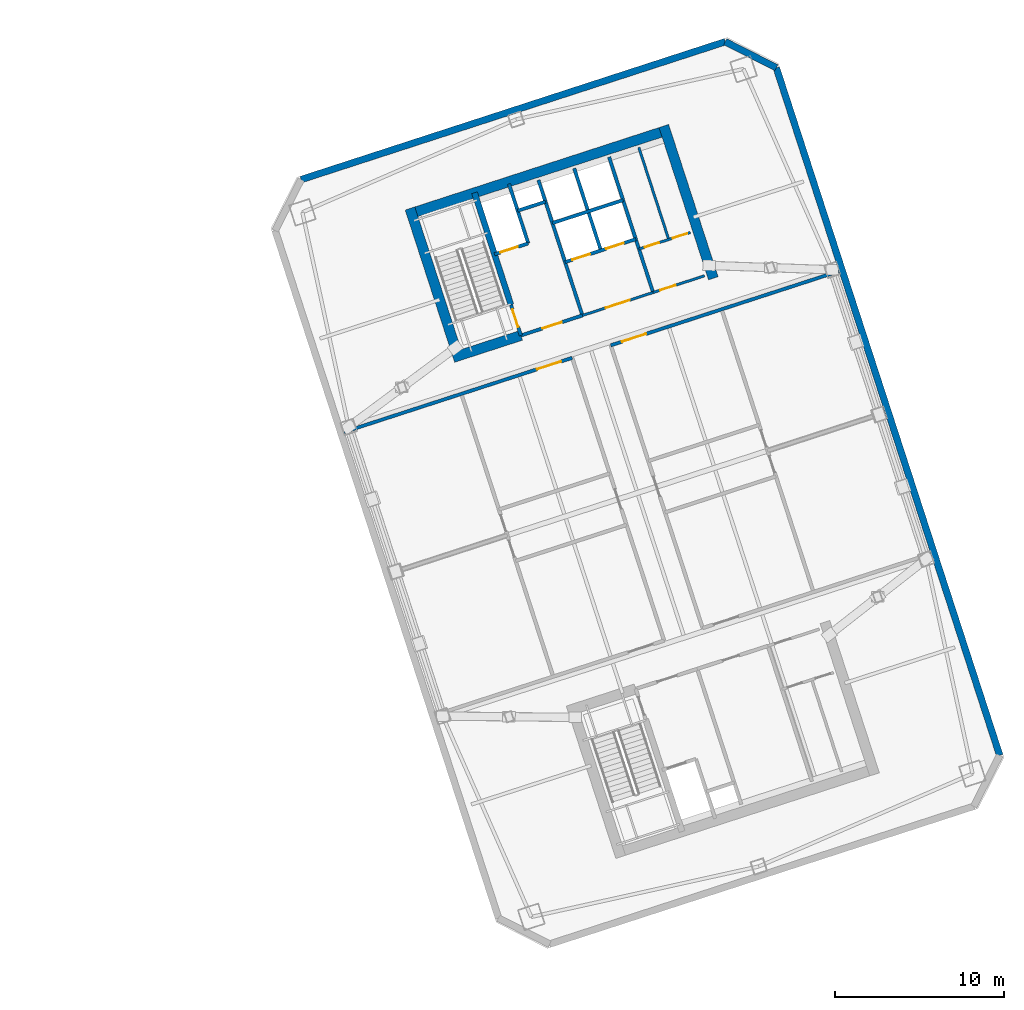
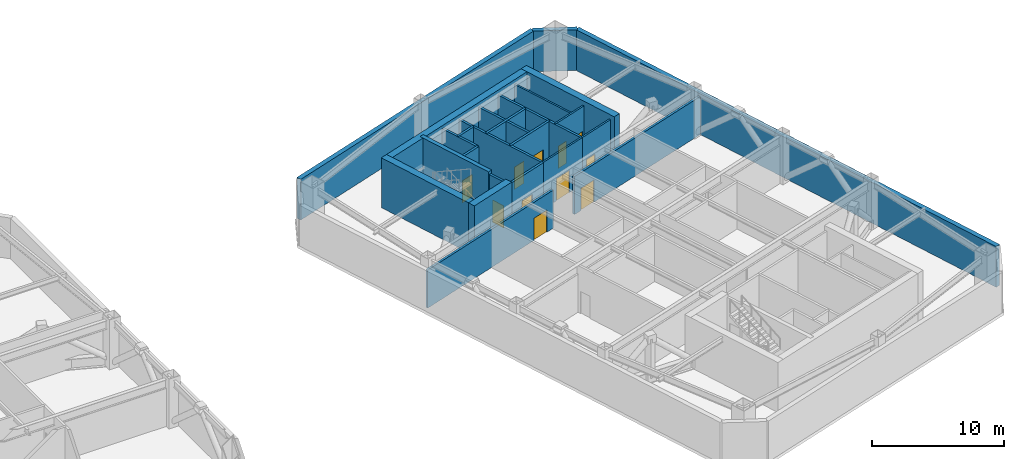
# One storey, part 11 of 14: 24 walls, 11 doors, 11 openings.
"""IFC4 building model written with IfcOpenShell, lengths in metres."""

import ifcopenshell
import ifcopenshell.guid

model = None  # the IFC model being written
_history = None  # IfcOwnerHistory: only IFC2X3 demands one
_inside = {}  # id of a spatial element -> (the spatial element, [elements in it])
_under = {}  # id of a project, library or spatial element -> (it, [spatial elements below it])
_declared = {}  # id of a project -> (the project, [libraries it declares])
_typed = {}  # id of a type object -> (the type object, [elements of that type])
_made_of = {}  # id of a material, layer set ... -> (it, [elements and type objects made of it])


def new_model(schema):
    """Start an empty IFC model of exactly this schema.

    Asked for "IFC4X3", IfcOpenShell would pick the latest addendum, in which some entities
    have other attributes; the version numbers below select the first issue.
    IFC2X3 requires an IfcOwnerHistory on every rooted entity: one is made here for all.
    """
    global model, _history
    if schema == "IFC4X3":
        model = ifcopenshell.file(schema_version=(4, 3, 0, 0))
    else:
        model = ifcopenshell.file(schema=schema)
    _inside.clear()
    _under.clear()
    _declared.clear()
    _typed.clear()
    _made_of.clear()
    _history = None
    if model.schema == "IFC2X3":
        org = make("IfcOrganization", Name="unknown")
        user = make(
            "IfcPersonAndOrganization",
            ThePerson=make("IfcPerson", FamilyName="unknown"),
            TheOrganization=org,
        )
        app = make(
            "IfcApplication",
            ApplicationDeveloper=org,
            Version="unknown",
            ApplicationFullName="unknown",
            ApplicationIdentifier="unknown",
        )
        _history = make(
            "IfcOwnerHistory",
            OwningUser=user,
            OwningApplication=app,
            ChangeAction="ADDED",
            CreationDate=0,
        )
    return model


def make(cls, **values):
    """One entity of the class cls with the attributes given. An attribute that is None is left unset."""
    return model.create_entity(
        cls, **{name: value for name, value in values.items() if value is not None}
    )


def rooted(cls, **values):
    """An entity with a GlobalId (a new one), such as an element, a storey or a relation."""
    return make(cls, GlobalId=ifcopenshell.guid.new(), OwnerHistory=_history, **values)


def si_unit(unit_type, name, prefix=None):
    """IfcSIUnit, for example si_unit("LENGTHUNIT", "METRE", prefix="MILLI")."""
    return make("IfcSIUnit", UnitType=unit_type, Prefix=prefix, Name=name)


def assignment(units):
    """IfcUnitAssignment: the units of a project."""
    return None if units is None else make("IfcUnitAssignment", Units=units)


def point(xyz):
    """IfcCartesianPoint."""
    return None if xyz is None else make("IfcCartesianPoint", Coordinates=xyz)


def direction(xyz):
    """IfcDirection."""
    return None if xyz is None else make("IfcDirection", DirectionRatios=xyz)


def frame(location, z_axis=None, x_axis=None):
    """IfcAxis2Placement3D, a coordinate frame: its origin and axes. An axis left out is left unset."""
    return make(
        "IfcAxis2Placement3D",
        Location=point(location),
        Axis=direction(z_axis),
        RefDirection=direction(x_axis),
    )


def frame_2d(location, x_axis=None):
    """IfcAxis2Placement2D, a coordinate frame in the plane: its origin and x axis."""
    return make(
        "IfcAxis2Placement2D", Location=point(location), RefDirection=direction(x_axis)
    )


def origin():
    """The frame at (0, 0, 0) with its axes left unset."""
    return frame((0.0, 0.0, 0.0))


def place(relative_to, where):
    """IfcLocalPlacement: puts the frame where relative to a parent placement (None: the world)."""
    return make(
        "IfcLocalPlacement", PlacementRelTo=relative_to, RelativePlacement=where
    )


def context(
    kind, dimensions, precision=None, world=None, true_north=None, identifier=None
):
    """IfcGeometricRepresentationContext, for example the 3D "Model" context."""
    return make(
        "IfcGeometricRepresentationContext",
        ContextIdentifier=identifier,
        ContextType=kind,
        CoordinateSpaceDimension=dimensions,
        Precision=precision,
        WorldCoordinateSystem=world,
        TrueNorth=true_north,
    )


def subcontext(parent, identifier, kind, view, scale=None):
    """IfcGeometricRepresentationSubContext, for example "Body" below "Model"."""
    return make(
        "IfcGeometricRepresentationSubContext",
        ContextIdentifier=identifier,
        ContextType=kind,
        ParentContext=parent,
        TargetScale=scale,
        TargetView=view,
    )


def project(units=None, contexts=None):
    """IfcProject with its units and contexts."""
    return rooted(
        "IfcProject",
        Name="project",
        RepresentationContexts=contexts,
        UnitsInContext=assignment(units),
    )


def spatial(cls, under=None, at=None, **own):
    """A site, building, storey or space (cls), placed at a placement, below another one or the project."""
    s = rooted(cls, ObjectPlacement=at, **own)
    if under is not None:
        _under.setdefault(under.id(), (under, []))[1].append(s)
    return s


def profile(cls, at=None, kind="AREA", **sizes):
    """A parametric profile (cls). Its sizes go by their IFC names, for example OverallWidth=200.0."""
    return make(cls, ProfileType=kind, Position=at, **sizes)


def rectangle(**sizes):
    """IfcRectangleProfileDef."""
    return profile("IfcRectangleProfileDef", **sizes)


def extrude(swept, where, along, depth):
    """IfcExtrudedAreaSolid: the profile swept, set in the frame where, extruded along a direction by depth."""
    return make(
        "IfcExtrudedAreaSolid",
        SweptArea=swept,
        Position=where,
        ExtrudedDirection=direction(along),
        Depth=depth,
    )


def shape(context_of_items, identifier, shape_type, items):
    """IfcShapeRepresentation: the items that make up one representation, for example the "Body"."""
    return make(
        "IfcShapeRepresentation",
        ContextOfItems=context_of_items,
        RepresentationIdentifier=identifier,
        RepresentationType=shape_type,
        Items=items,
    )


def material(Name=None, Category=None):
    """IfcMaterial."""
    return make("IfcMaterial", Name=Name, Category=Category)


def layer(
    of_material, thickness, ventilated=None, Name=None, Category=None, Priority=None
):
    """IfcMaterialLayer: one layer of a wall or slab, of a material (None: an air gap)."""
    return make(
        "IfcMaterialLayer",
        Material=of_material,
        LayerThickness=thickness,
        IsVentilated=ventilated,
        Name=Name,
        Category=Category,
        Priority=Priority,
    )


def layer_set(layers, Name=None):
    """IfcMaterialLayerSet."""
    return make("IfcMaterialLayerSet", MaterialLayers=layers, LayerSetName=Name)


def made_of(thing, what):
    """Note that an element or type object is made of a material, layer set ...; save() writes the relation."""
    if what is not None:
        _made_of.setdefault(what.id(), (what, []))[1].append(thing)
    return thing


def type_object(cls, material=None, **own):
    """A type object (cls), such as IfcWallType, which elements share."""
    return made_of(rooted(cls, **own), material)


def element(
    cls,
    number,
    at=None,
    inside=None,
    cuts=None,
    type_object=None,
    material=None,
    context=None,
    identifier="Body",
    shape_type=None,
    held_by="IfcProductDefinitionShape",
    body=None,
    shapes=None,
    **own,
):
    """One element of the class cls, such as IfcWall. Its Tag is "e" and its number.

    at: its placement. inside: the storey or other place that contains it. cuts: it is an
    opening in that element (IfcRelVoidsElement). A single representation is given by context,
    identifier, shape_type and body (its items); several are given by shapes. held_by: the class
    of the entity that holds the representations. save() writes the other relations.
    """
    e = rooted(cls, Tag="e%d" % number, ObjectPlacement=at, **own)
    if body is not None:
        shapes = [shape(context, identifier, shape_type, body)]
    if shapes is not None:
        e.Representation = make(held_by, Representations=shapes)
    if inside is not None:
        _inside.setdefault(inside.id(), (inside, []))[1].append(e)
    if cuts is not None:
        rooted(
            "IfcRelVoidsElement", RelatingBuildingElement=cuts, RelatedOpeningElement=e
        )
    if type_object is not None:
        _typed.setdefault(type_object.id(), (type_object, []))[1].append(e)
    return made_of(e, material)


def fill(opening, filler):
    """IfcRelFillsElement: the door or window that sits in an opening."""
    return rooted(
        "IfcRelFillsElement",
        RelatingOpeningElement=opening,
        RelatedBuildingElement=filler,
    )


def aggregate(whole, parts):
    """IfcRelAggregates: a whole, such as a stair, and the parts it consists of."""
    return rooted("IfcRelAggregates", RelatingObject=whole, RelatedObjects=parts)


def save(model, path):
    """Write the relations noted so far, then the file.

    IfcRelAggregates (storeys below a building ...), IfcRelContainedInSpatialStructure (elements
    in a storey), IfcRelDefinesByType, IfcRelAssociatesMaterial and IfcRelDeclares: one each for
    every whole, place, type object, material and project.
    """
    for whole, parts in _under.values():
        aggregate(whole, parts)
    for where, things in _inside.values():
        rooted(
            "IfcRelContainedInSpatialStructure",
            RelatedElements=things,
            RelatingStructure=where,
        )
    for kind, things in _typed.values():
        rooted("IfcRelDefinesByType", RelatedObjects=things, RelatingType=kind)
    for what, things in _made_of.values():
        rooted("IfcRelAssociatesMaterial", RelatedObjects=things, RelatingMaterial=what)
    for by, libraries in _declared.values():
        rooted("IfcRelDeclares", RelatingContext=by, RelatedDefinitions=libraries)
    model.write(path)


model = new_model("IFC4")

# Units and contexts
model_context = context("Model", 3, precision=1e-05, world=origin(), true_north=direction((0.0, 1.0)))
body_context = subcontext(model_context, "Body", "Model", "MODEL_VIEW")
ifc_project = project(units=[si_unit("LENGTHUNIT", "METRE"), si_unit("AREAUNIT", "SQUARE_METRE"), si_unit("VOLUMEUNIT", "CUBIC_METRE"), si_unit("PLANEANGLEUNIT", "RADIAN"), si_unit("MASSUNIT", "GRAM", prefix="KILO")], contexts=[model_context])

# Site, building, storey
site_placement = place(None, origin())
site = spatial("IfcSite", under=ifc_project, at=site_placement, CompositionType="ELEMENT")
building_placement = place(site_placement, origin())
building = spatial("IfcBuilding", under=site, at=building_placement, Name="Qiaolan Cultural Towers", CompositionType="ELEMENT")
storey_placement = place(building_placement, frame((0.0, 0.0, 138.0)))
storey = spatial("IfcBuildingStorey", under=building, at=storey_placement, Name="L36", CompositionType="ELEMENT", Elevation=138.0)

# Walls
ifc_material_1 = material(Name="Concrete C50", Category="concrete")
ifc_layer_1 = layer(ifc_material_1, 0.35009765625)
ifc_layer_set_1 = layer_set([ifc_layer_1], Name="Concrete C50")
wall_type_1 = type_object("IfcWallType", Name="WL-CORE-350", PredefinedType="SHEAR", material=ifc_layer_set_1)
wall_1_placement = place(storey_placement, frame((82.513671875, 45.13134765625, 0.0), z_axis=(0.0, 0.0, 1.0), x_axis=(-0.308988790936, 0.951065679686, 0.0)))
element("IfcWall", 1, at=wall_1_placement, inside=storey, type_object=wall_type_1, Name="L36 T2-CN Stair Core Dividing Web", PredefinedType="SHEAR", context=body_context, shape_type="SweptSolid", body=[
    extrude(rectangle(XDim=6.97998046875, YDim=0.35009765625, at=frame_2d((3.489990234375, 0.0))), origin(), (0.0, 0.0, 1.0), 4.60009765625),
])
ifc_material_2 = material(Name="Concrete C55", Category="concrete")
ifc_layer_2 = layer(ifc_material_2, 0.60009765625)
ifc_layer_set_2 = layer_set([ifc_layer_2], Name="Concrete C55")
wall_type_2 = type_object("IfcWallType", Name="WL-CORE-600", PredefinedType="SHEAR", material=ifc_layer_set_2)
wall_2_placement = place(storey_placement, frame((76.343505859375, 50.4658203125, 0.0), z_axis=(0.0, 0.0, 1.0), x_axis=(0.951055727519, 0.309019421968, 0.0)))
element("IfcWall", 2, at=wall_2_placement, inside=storey, type_object=wall_type_2, Name="L36 T2-CN Outer Core Shear Wall", PredefinedType="SHEAR", context=body_context, shape_type="SweptSolid", body=[
    extrude(rectangle(XDim=16.39990234375, YDim=0.60009765625, at=frame_2d((8.199951171875, 0.0))), origin(), (0.0, 0.0, 1.0), 4.60009765625),
])
for number, where, z_axis, x_axis, name in (
    (3, (79.465576171875, 41.827880859375, 0.0), (0.0, 0.0, 1.0), (-0.309041232772, 0.951048640421, 0.0), "L36 T2-CN West Core Shear Wall"),
    (4, (94.4921875, 46.710205078125, 0.0), (0.0, 0.0, 1.0), (-0.309010370028, 0.95105866865, 0.0), "L36 T2-CN East Core Shear Wall"),
):
    element("IfcWall", number, at=place(storey_placement, frame(where, z_axis=z_axis, x_axis=x_axis)), inside=storey, type_object=wall_type_2, Name=name, PredefinedType="SHEAR", context=body_context, shape_type="SweptSolid", body=[
        extrude(rectangle(XDim=9.47998046875, YDim=0.60009765625, at=frame_2d((4.739990234375, 0.0))), origin(), (0.0, 0.0, 1.0), 4.60009765625),
    ])
wall_3_placement = place(storey_placement, frame((79.08740234375, 42.0205078125, 0.0), z_axis=(0.0, 0.0, 1.0), x_axis=(0.951062550203, 0.3089984233, 0.0)))
element("IfcWall", 5, at=wall_3_placement, inside=storey, type_object=wall_type_2, Name="L36 T2-CN Stair Front Shear Wall", PredefinedType="SHEAR", context=body_context, shape_type="SweptSolid", body=[
    extrude(rectangle(XDim=4.219970703125, YDim=0.60009765625, at=frame_2d((2.10986328125, 0.0))), origin(), (0.0, 0.0, 1.0), 4.60009765625),
])
ifc_material_3 = material(Name="Precast Concrete C50 Honed Stone Pier", Category="masonry")
ifc_layer_3 = layer(ifc_material_3, 0.39990234375)
ifc_layer_set_3 = layer_set([ifc_layer_3], Name="Precast Concrete C50 Honed Stone Pier")
wall_type_3 = type_object("IfcWallType", Name="WL-EXT-PIER-400", PredefinedType="SOLIDWALL", material=ifc_layer_set_3)
wall_4_placement = place(storey_placement, frame((70.091552734375, 52.55615234375, 0.0), z_axis=(0.0, 0.0, 1.0), x_axis=(0.951057580055, 0.30901372044, 0.0)))
element("IfcWall", 6, at=wall_4_placement, inside=storey, type_object=wall_type_3, Name="L36 East Tower Precast Pier Facade Wall F3", PredefinedType="SOLIDWALL", context=body_context, shape_type="SweptSolid", body=[
    extrude(rectangle(XDim=26.39990234375, YDim=0.39990234375, at=frame_2d((13.199951171875, 0.0))), origin(), (0.0, 0.0, 1.0), 3.760009765625),
])
wall_5_placement = place(storey_placement, frame((95.199462890625, 60.714111328125, 0.0), z_axis=(0.0, 0.0, 1.0), x_axis=(0.891020832027, -0.453962417932, 0.0)))
element("IfcWall", 7, at=wall_5_placement, inside=storey, type_object=wall_type_3, Name="L36 East Tower Precast Pier Facade Wall F4", PredefinedType="SOLIDWALL", context=body_context, shape_type="SweptSolid", body=[
    extrude(rectangle(XDim=3.39404296875, YDim=0.39990234375, at=frame_2d((1.697021484375, 0.0))), origin(), (0.0, 0.0, 1.0), 3.760009765625),
])
wall_6_placement = place(storey_placement, frame((98.2236328125, 59.17333984375, 0.0), z_axis=(0.0, 0.0, 1.0), x_axis=(0.309014228706, -0.951057414911, 0.0)))
element("IfcWall", 8, at=wall_6_placement, inside=storey, type_object=wall_type_3, Name="L36 East Tower Precast Pier Facade Wall F5", PredefinedType="SOLIDWALL", context=body_context, shape_type="SweptSolid", body=[
    extrude(rectangle(XDim=42.800048828125, YDim=0.39990234375, at=frame_2d((21.39990234375, 0.0))), origin(), (0.0, 0.0, 1.0), 3.760009765625),
])

# Wall, opening, door
ifc_material_4 = material(Name="Concrete C35 Fire Wall", Category="concrete")
ifc_layer_4 = layer(ifc_material_4, 0.199951171875)
ifc_layer_set_4 = layer_set([ifc_layer_4], Name="Concrete C35 Fire Wall")
wall_type_4 = type_object("IfcWallType", Name="WL-FIRE-200", PredefinedType="PARTITIONING", material=ifc_layer_set_4)
wall_7_placement = place(storey_placement, frame((83.100830078125, 43.324462890625, 0.0), z_axis=(0.0, 0.0, 1.0), x_axis=(-0.309048298632, 0.951046344356, 0.0)))
wall_7 = element("IfcWall", 9, at=wall_7_placement, inside=storey, type_object=wall_type_4, Name="L36 T2-CN Smokeproof Stair Entry Wall", PredefinedType="PARTITIONING", context=body_context, shape_type="SweptSolid", body=[
    extrude(rectangle(XDim=1.89990234375, YDim=0.199951171875, at=frame_2d((0.949951171875, 0.0))), origin(), (0.0, 0.0, 1.0), 4.324951171875),
])
opening_1_placement = place(wall_7_placement, frame((0.52001953125, 0.0, 0.0)))
opening_1 = element("IfcOpeningElement", 10, at=opening_1_placement, cuts=wall_7, Name="Opening FD-04", PredefinedType="OPENING", context=body_context, shape_type="SweptSolid", body=[
    extrude(rectangle(XDim=1.10009765625, YDim=2.050048828125, at=frame_2d((0.550048828125, 1.02490234375))), frame((0.0, 0.10986328125, 0.0), z_axis=(0.0, -1.0, 0.0), x_axis=(1.0, 0.0, 0.0)), (0.0, 0.0, 1.0), 0.219970703125),
])
ifc_material_5 = material(Name="Galvanized Steel Command Fire Door", Category="steel")
door_type_1 = type_object("IfcDoorType", Name="DR-FD90-1100", OperationType="NOTDEFINED", PredefinedType="DOOR", material=ifc_material_5)
door_1_placement = place(opening_1_placement, origin())
door_1 = element("IfcDoor", 11, at=door_1_placement, inside=storey, type_object=door_type_1, Name="L36 ST-E2 Smokeproof Stair Fire Door", OperationType="SINGLE_SWING_LEFT", OverallHeight=2.050048828125, OverallWidth=1.10009765625, PredefinedType="DOOR", context=body_context, shape_type="SweptSolid", body=[
    extrude(rectangle(XDim=1.10009765625, YDim=2.050048828125, at=frame_2d((0.550048828125, 1.02490234375))), frame((0.0, 0.02490234375, 0.0), z_axis=(0.0, -1.0, 0.0), x_axis=(1.0, 0.0, 0.0)), (0.0, 0.0, 1.0), 0.050048828125),
])
fill(opening_1, door_1)

# Wall
wall_8_placement = place(storey_placement, frame((86.743408203125, 44.508056640625, 0.0), z_axis=(0.0, 0.0, 1.0), x_axis=(-0.309016001439, 0.951056838919, 0.0)))
element("IfcWall", 12, at=wall_8_placement, inside=storey, type_object=wall_type_4, Name="L36 T2-CN Firefighting Zone Wall", PredefinedType="PARTITIONING", context=body_context, shape_type="SweptSolid", body=[
    extrude(rectangle(XDim=8.429931640625, YDim=0.199951171875, at=frame_2d((4.21484375, 0.0))), origin(), (0.0, 0.0, 1.0), 4.324951171875),
])

# Wall, opening, door
wall_9_placement = place(storey_placement, frame((83.100830078125, 43.324462890625, 0.0), z_axis=(0.0, 0.0, 1.0), x_axis=(0.951052804469, 0.309028417967, 0.0)))
wall_9 = element("IfcWall", 13, at=wall_9_placement, inside=storey, type_object=wall_type_4, Name="L36 T2-CN Firefighting Lobby Front Wall", PredefinedType="PARTITIONING", context=body_context, shape_type="SweptSolid", body=[
    extrude(rectangle(XDim=3.830078125, YDim=0.199951171875, at=frame_2d((1.9150390625, 0.0))), origin(), (0.0, 0.0, 1.0), 4.324951171875),
])
opening_2_placement = place(wall_9_placement, frame((1.35009765625, 0.0, 0.0)))
opening_2 = element("IfcOpeningElement", 14, at=opening_2_placement, cuts=wall_9, Name="Opening FD-03", PredefinedType="OPENING", context=body_context, shape_type="SweptSolid", body=[
    extrude(rectangle(XDim=1.199951171875, YDim=2.050048828125, at=frame_2d((0.60009765625, 1.02490234375))), frame((0.0, 0.10986328125, 0.0), z_axis=(0.0, -1.0, 0.0), x_axis=(1.0, 0.0, 0.0)), (0.0, 0.0, 1.0), 0.219970703125),
])
ifc_material_6 = material(Name="Galvanized Steel Smokeproof Lobby Fire Door", Category="steel")
door_type_2 = type_object("IfcDoorType", Name="DR-FD90-1200", OperationType="NOTDEFINED", PredefinedType="DOOR", material=ifc_material_6)
door_2_placement = place(opening_2_placement, origin())
door_2 = element("IfcDoor", 15, at=door_2_placement, inside=storey, type_object=door_type_2, Name="L36 FFL-E2 Firefighting Lobby Fire Door", OperationType="SINGLE_SWING_LEFT", OverallHeight=2.050048828125, OverallWidth=1.199951171875, PredefinedType="DOOR", context=body_context, shape_type="SweptSolid", body=[
    extrude(rectangle(XDim=1.199951171875, YDim=2.050048828125, at=frame_2d((0.60009765625, 1.02490234375))), frame((0.0, 0.02490234375, 0.0), z_axis=(0.0, -1.0, 0.0), x_axis=(1.0, 0.0, 0.0)), (0.0, 0.0, 1.0), 0.050048828125),
])
fill(opening_2, door_2)

wall_10_placement = place(storey_placement, frame((81.540283203125, 48.127197265625, 0.0), z_axis=(0.0, 0.0, 1.0), x_axis=(0.951062257173, 0.308999325213, 0.0)))
wall_10 = element("IfcWall", 16, at=wall_10_placement, inside=storey, type_object=wall_type_4, Name="L36 T2-CN Firefighting Shaft Front Wall", PredefinedType="PARTITIONING", context=body_context, shape_type="SweptSolid", body=[
    extrude(rectangle(XDim=2.10009765625, YDim=0.199951171875, at=frame_2d((1.050048828125, 0.0))), origin(), (0.0, 0.0, 1.0), 4.324951171875),
])
opening_3_placement = place(wall_10_placement, frame((0.35009765625, 0.0, 0.0)))
opening_3 = element("IfcOpeningElement", 17, at=opening_3_placement, cuts=wall_10, Name="Opening LD-01", PredefinedType="OPENING", context=body_context, shape_type="SweptSolid", body=[
    extrude(rectangle(XDim=1.10009765625, YDim=2.050048828125, at=frame_2d((0.550048828125, 1.02490234375))), frame((0.0, 0.10986328125, 0.0), z_axis=(0.0, -1.0, 0.0), x_axis=(1.0, 0.0, 0.0)), (0.0, 0.0, 1.0), 0.219970703125),
])
ifc_material_7 = material(Name="Brushed Stainless Steel S30408 Centre-Parting Lift Landing Door", Category="steel")
door_type_3 = type_object("IfcDoorType", Name="DR-LIFT-1100", OperationType="NOTDEFINED", PredefinedType="DOOR", material=ifc_material_7)
door_3_placement = place(opening_3_placement, origin())
door_3 = element("IfcDoor", 18, at=door_3_placement, inside=storey, type_object=door_type_3, Name="L36 FFL-E2 Firefighting Lift Landing Door", OperationType="DOUBLE_DOOR_SLIDING", OverallHeight=2.050048828125, OverallWidth=1.10009765625, PredefinedType="DOOR", context=body_context, shape_type="SweptSolid", body=[
    extrude(rectangle(XDim=1.10009765625, YDim=2.050048828125, at=frame_2d((0.550048828125, 1.02490234375))), frame((0.0, 0.02490234375, 0.0), z_axis=(0.0, -1.0, 0.0), x_axis=(1.0, 0.0, 0.0)), (0.0, 0.0, 1.0), 0.050048828125),
])
fill(opening_3, door_3)

# Walls
wall_11_placement = place(storey_placement, frame((83.53759765625, 48.776123046875, 0.0), z_axis=(0.0, 0.0, 1.0), x_axis=(-0.3089935693, 0.951064127245, 0.0)))
element("IfcWall", 19, at=wall_11_placement, inside=storey, type_object=wall_type_4, Name="L36 T2-CN Firefighting Hoistway East Wall", PredefinedType="PARTITIONING", context=body_context, shape_type="SweptSolid", body=[
    extrude(rectangle(XDim=3.7001953125, YDim=0.199951171875, at=frame_2d((1.85009765625, 0.0))), origin(), (0.0, 0.0, 1.0), 4.324951171875),
])
wall_12_placement = place(storey_placement, frame((82.910400390625, 50.706787109375, 0.0), z_axis=(0.0, 0.0, 1.0), x_axis=(0.951041328149, 0.309063734775, 0.0)))
element("IfcWall", 20, at=wall_12_placement, inside=storey, type_object=wall_type_4, Name="L36 T2-CN Pressurization Shaft Front Wall", PredefinedType="PARTITIONING", context=body_context, shape_type="SweptSolid", body=[
    extrude(rectangle(XDim=1.72998046875, YDim=0.199951171875, at=frame_2d((0.864990234375, 0.0))), origin(), (0.0, 0.0, 1.0), 4.324951171875),
])
wall_13_placement = place(storey_placement, frame((90.92822265625, 45.86767578125, 0.0), z_axis=(0.0, 0.0, 1.0), x_axis=(-0.309042196757, 0.951048327176, 0.0)))
element("IfcWall", 21, at=wall_13_placement, inside=storey, type_object=wall_type_4, Name="L36 T2-CN Lift Core East Wall", PredefinedType="PARTITIONING", context=body_context, shape_type="SweptSolid", body=[
    extrude(rectangle(XDim=8.429931640625, YDim=0.199951171875, at=frame_2d((4.21484375, 0.0))), origin(), (0.0, 0.0, 1.0), 4.324951171875),
])

# Wall, openings, doors
wall_14_placement = place(storey_placement, frame((85.717529296875, 47.66552734375, 0.0), z_axis=(0.0, 0.0, 1.0), x_axis=(0.951058531764, 0.30901079133, 0.0)))
wall_14 = element("IfcWall", 22, at=wall_14_placement, inside=storey, type_object=wall_type_4, Name="L36 T2-CN Passenger Lift Shaft Front Wall", PredefinedType="PARTITIONING", context=body_context, shape_type="SweptSolid", body=[
    extrude(rectangle(XDim=4.39990234375, YDim=0.199951171875, at=frame_2d((2.199951171875, 0.0))), origin(), (0.0, 0.0, 1.0), 4.324951171875),
])
opening_4_placement = place(wall_14_placement, frame((0.449951171875, 0.0, 0.0)))
opening_4 = element("IfcOpeningElement", 23, at=opening_4_placement, cuts=wall_14, Name="Opening LD-01", PredefinedType="OPENING", context=body_context, shape_type="SweptSolid", body=[
    extrude(rectangle(XDim=1.10009765625, YDim=2.050048828125, at=frame_2d((0.550048828125, 1.02490234375))), frame((0.0, 0.10986328125, 0.0), z_axis=(0.0, -1.0, 0.0), x_axis=(1.0, 0.0, 0.0)), (0.0, 0.0, 1.0), 0.219970703125),
])
opening_5_placement = place(wall_14_placement, frame((2.550048828125, 0.0, 0.0)))
opening_5 = element("IfcOpeningElement", 24, at=opening_5_placement, cuts=wall_14, Name="Opening LD-01", PredefinedType="OPENING", context=body_context, shape_type="SweptSolid", body=[
    extrude(rectangle(XDim=1.10009765625, YDim=2.050048828125, at=frame_2d((0.550048828125, 1.02490234375))), frame((0.0, 0.10986328125, 0.0), z_axis=(0.0, -1.0, 0.0), x_axis=(1.0, 0.0, 0.0)), (0.0, 0.0, 1.0), 0.219970703125),
])
door_4_placement = place(opening_4_placement, origin())
door_4 = element("IfcDoor", 25, at=door_4_placement, inside=storey, type_object=door_type_3, Name="L36 Passenger Lift 1 Landing Door", OperationType="DOUBLE_DOOR_SLIDING", OverallHeight=2.050048828125, OverallWidth=1.10009765625, PredefinedType="DOOR", context=body_context, shape_type="SweptSolid", body=[
    extrude(rectangle(XDim=1.10009765625, YDim=2.050048828125, at=frame_2d((0.550048828125, 1.02490234375))), frame((0.0, 0.02490234375, 0.0), z_axis=(0.0, -1.0, 0.0), x_axis=(1.0, 0.0, 0.0)), (0.0, 0.0, 1.0), 0.050048828125),
])
fill(opening_4, door_4)
door_5_placement = place(opening_5_placement, origin())
door_5 = element("IfcDoor", 26, at=door_5_placement, inside=storey, type_object=door_type_3, Name="L36 Passenger Lift 2 Landing Door", OperationType="DOUBLE_DOOR_SLIDING", OverallHeight=2.050048828125, OverallWidth=1.10009765625, PredefinedType="DOOR", context=body_context, shape_type="SweptSolid", body=[
    extrude(rectangle(XDim=1.10009765625, YDim=2.050048828125, at=frame_2d((0.550048828125, 1.02490234375))), frame((0.0, 0.02490234375, 0.0), z_axis=(0.0, -1.0, 0.0), x_axis=(1.0, 0.0, 0.0)), (0.0, 0.0, 1.0), 0.050048828125),
])
fill(opening_5, door_5)

# Walls
wall_15_placement = place(storey_placement, frame((87.83837890625, 48.3544921875, 0.0), z_axis=(0.0, 0.0, 1.0), x_axis=(-0.3090093719, 0.951058992953, 0.0)))
element("IfcWall", 27, at=wall_15_placement, inside=storey, type_object=wall_type_4, Name="L36 T2-CN Lift Shaft Divider Wall", PredefinedType="PARTITIONING", context=body_context, shape_type="SweptSolid", body=[
    extrude(rectangle(XDim=5.110107421875, YDim=0.199951171875, at=frame_2d((2.55517578125, 0.0))), origin(), (0.0, 0.0, 1.0), 4.324951171875),
])
wall_16_placement = place(storey_placement, frame((84.966552734375, 49.9765625, 0.0), z_axis=(0.0, 0.0, 1.0), x_axis=(0.951063829732, 0.308994485023, 0.0)))
element("IfcWall", 28, at=wall_16_placement, inside=storey, type_object=wall_type_4, Name="L36 T2-CN Passenger Lift Shaft Back Wall", PredefinedType="PARTITIONING", context=body_context, shape_type="SweptSolid", body=[
    extrude(rectangle(XDim=4.400146484375, YDim=0.199951171875, at=frame_2d((2.2001953125, 0.0))), origin(), (0.0, 0.0, 1.0), 4.324951171875),
])

# Wall, opening, door
wall_17_placement = place(storey_placement, frame((72.63427734375, 37.6103515625, 0.0), z_axis=(0.0, 0.0, 1.0), x_axis=(0.951054408413, 0.309023481693, 0.0)))
wall_17 = element("IfcWall", 29, at=wall_17_placement, inside=storey, type_object=wall_type_4, Name="L36 T2 Fire Rated Plant/Refuge Wall NBW", PredefinedType="PARTITIONING", context=body_context, shape_type="SweptSolid", body=[
    extrude(rectangle(XDim=14.2001953125, YDim=0.199951171875, at=frame_2d((7.10009765625, 0.0))), origin(), (0.0, 0.0, 1.0), 3.514892578125),
])
opening_6_placement = place(wall_17_placement, frame((12.0, 0.0, 0.0)))
opening_6 = element("IfcOpeningElement", 30, at=opening_6_placement, cuts=wall_17, Name="Opening FD-02", PredefinedType="OPENING", context=body_context, shape_type="SweptSolid", body=[
    extrude(rectangle(XDim=1.5, YDim=2.050048828125, at=frame_2d((0.75, 1.02490234375))), frame((0.0, 0.10986328125, 0.0), z_axis=(0.0, -1.0, 0.0), x_axis=(1.0, 0.0, 0.0)), (0.0, 0.0, 1.0), 0.219970703125),
])
ifc_material_8 = material(Name="Galvanized Steel Double Fire Door", Category="steel")
door_type_4 = type_object("IfcDoorType", Name="DR-FD90-1500", OperationType="NOTDEFINED", PredefinedType="DOOR", material=ifc_material_8)
door_6_placement = place(opening_6_placement, origin())
door_6 = element("IfcDoor", 31, at=door_6_placement, inside=storey, type_object=door_type_4, Name="L36 T2 West North Refuge Fire Door", OperationType="SINGLE_SWING_LEFT", OverallHeight=2.050048828125, OverallWidth=1.5, PredefinedType="DOOR", context=body_context, shape_type="SweptSolid", body=[
    extrude(rectangle(XDim=1.5, YDim=2.050048828125, at=frame_2d((0.75, 1.02490234375))), frame((0.0, 0.02490234375, 0.0), z_axis=(0.0, -1.0, 0.0), x_axis=(1.0, 0.0, 0.0)), (0.0, 0.0, 1.0), 0.050048828125),
])
fill(opening_6, door_6)

wall_18_placement = place(storey_placement, frame((88.421875, 42.740234375, 0.0), z_axis=(0.0, 0.0, 1.0), x_axis=(0.951059461247, 0.3090079306, 0.0)))
wall_18 = element("IfcWall", 32, at=wall_18_placement, inside=storey, type_object=wall_type_4, Name="L36 T2 Fire Rated Plant/Refuge Wall NBE", PredefinedType="PARTITIONING", context=body_context, shape_type="SweptSolid", body=[
    extrude(rectangle(XDim=14.2001953125, YDim=0.199951171875, at=frame_2d((7.10009765625, 0.0))), origin(), (0.0, 0.0, 1.0), 3.514892578125),
])
opening_7_placement = place(wall_18_placement, frame((0.699951171875, 0.0, 0.0)))
opening_7 = element("IfcOpeningElement", 33, at=opening_7_placement, cuts=wall_18, Name="Opening FD-02", PredefinedType="OPENING", context=body_context, shape_type="SweptSolid", body=[
    extrude(rectangle(XDim=1.5, YDim=2.050048828125, at=frame_2d((0.75, 1.02490234375))), frame((0.0, 0.10986328125, 0.0), z_axis=(0.0, -1.0, 0.0), x_axis=(1.0, 0.0, 0.0)), (0.0, 0.0, 1.0), 0.219970703125),
])
door_7_placement = place(opening_7_placement, origin())
door_7 = element("IfcDoor", 34, at=door_7_placement, inside=storey, type_object=door_type_4, Name="L36 T2 East North Refuge Fire Door", OperationType="SINGLE_SWING_RIGHT", OverallHeight=2.050048828125, OverallWidth=1.5, PredefinedType="DOOR", context=body_context, shape_type="SweptSolid", body=[
    extrude(rectangle(XDim=1.5, YDim=2.050048828125, at=frame_2d((0.75, 1.02490234375))), frame((0.0, 0.02490234375, 0.0), z_axis=(0.0, -1.0, 0.0), x_axis=(1.0, 0.0, 0.0)), (0.0, 0.0, 1.0), 0.050048828125),
])
fill(opening_7, door_7)

ifc_material_9 = material(Name="Autoclaved Aerated Concrete Block B06", Category="concrete")
ifc_layer_5 = layer(ifc_material_9, 0.14990234375)
ifc_layer_set_5 = layer_set([ifc_layer_5], Name="Autoclaved Aerated Concrete Block B06")
wall_type_5 = type_object("IfcWallType", Name="WL-PART-150", PredefinedType="PARTITIONING", material=ifc_layer_set_5)
wall_19_placement = place(storey_placement, frame((86.743408203125, 44.508056640625, 0.0), z_axis=(0.0, 0.0, 1.0), x_axis=(0.951063829732, 0.308994485023, 0.0)))
wall_19 = element("IfcWall", 35, at=wall_19_placement, inside=storey, type_object=wall_type_5, Name="L36 T2-CN Passenger Lift Lobby Front Wall", PredefinedType="PARTITIONING", context=body_context, shape_type="SweptSolid", body=[
    extrude(rectangle(XDim=4.400146484375, YDim=0.14990234375, at=frame_2d((2.2001953125, 0.0))), origin(), (0.0, 0.0, 1.0), 4.324951171875),
])
opening_8_placement = place(wall_19_placement, frame((1.449951171875, 0.0, 0.0)))
opening_8 = element("IfcOpeningElement", 36, at=opening_8_placement, cuts=wall_19, Name="Opening FD-05", PredefinedType="OPENING", context=body_context, shape_type="SweptSolid", body=[
    extrude(rectangle(XDim=1.5, YDim=2.050048828125, at=frame_2d((0.75, 1.02490234375))), frame((0.0, 0.0849609375, 0.0), z_axis=(0.0, -1.0, 0.0), x_axis=(1.0, 0.0, 0.0)), (0.0, 0.0, 1.0), 0.169921875),
])
ifc_material_10 = material(Name="Painted Steel Lift Lobby Fire Door", Category="steel")
door_type_5 = type_object("IfcDoorType", Name="DR-FD60-1500", OperationType="NOTDEFINED", PredefinedType="DOOR", material=ifc_material_10)
door_8_placement = place(opening_8_placement, origin())
door_8 = element("IfcDoor", 37, at=door_8_placement, inside=storey, type_object=door_type_5, Name="L36 Passenger Lift Lobby Entrance", OperationType="SINGLE_SWING_LEFT", OverallHeight=2.050048828125, OverallWidth=1.5, PredefinedType="DOOR", context=body_context, shape_type="SweptSolid", body=[
    extrude(rectangle(XDim=1.5, YDim=2.050048828125, at=frame_2d((0.75, 1.02490234375))), frame((0.0, 0.02490234375, 0.0), z_axis=(0.0, -1.0, 0.0), x_axis=(1.0, 0.0, 0.0)), (0.0, 0.0, 1.0), 0.050048828125),
])
fill(opening_8, door_8)

wall_20_placement = place(storey_placement, frame((90.92822265625, 45.86767578125, 0.0), z_axis=(0.0, 0.0, 1.0), x_axis=(0.951059297078, 0.309008435874, 0.0)))
wall_20 = element("IfcWall", 38, at=wall_20_placement, inside=storey, type_object=wall_type_5, Name="L36 T2-CN Sanitary Core Front Wall", PredefinedType="PARTITIONING", context=body_context, shape_type="SweptSolid", body=[
    extrude(rectangle(XDim=3.19970703125, YDim=0.14990234375, at=frame_2d((1.599853515625, 0.0))), origin(), (0.0, 0.0, 1.0), 4.324951171875),
])
opening_9_placement = place(wall_20_placement, frame((0.449951171875, 0.0, 0.0)))
opening_9 = element("IfcOpeningElement", 39, at=opening_9_placement, cuts=wall_20, Name="Opening ID-05", PredefinedType="OPENING", context=body_context, shape_type="SweptSolid", body=[
    extrude(rectangle(XDim=0.949951171875, YDim=2.050048828125, at=frame_2d((0.47509765625, 1.02490234375))), frame((0.0, 0.0849609375, 0.0), z_axis=(0.0, -1.0, 0.0), x_axis=(1.0, 0.0, 0.0)), (0.0, 0.0, 1.0), 0.169921875),
])
ifc_material_11 = material(Name="Fire-Rated Laminate Accessible Core Door", Category="timber")
door_type_6 = type_object("IfcDoorType", Name="DR-INT-950", OperationType="NOTDEFINED", PredefinedType="DOOR", material=ifc_material_11)
door_9_placement = place(opening_9_placement, origin())
door_9 = element("IfcDoor", 40, at=door_9_placement, inside=storey, type_object=door_type_6, Name="L36 Sanitary Vestibule Door", OperationType="SINGLE_SWING_LEFT", OverallHeight=2.050048828125, OverallWidth=0.949951171875, PredefinedType="DOOR", context=body_context, shape_type="SweptSolid", body=[
    extrude(rectangle(XDim=0.949951171875, YDim=2.050048828125, at=frame_2d((0.47509765625, 1.02490234375))), frame((0.0, 0.02490234375, 0.0), z_axis=(0.0, -1.0, 0.0), x_axis=(1.0, 0.0, 0.0)), (0.0, 0.0, 1.0), 0.050048828125),
])
fill(opening_9, door_9)

# Wall, openings, doors
wall_21_placement = place(storey_placement, frame((90.09375, 48.435546875, 0.0), z_axis=(0.0, 0.0, 1.0), x_axis=(0.951066581729, 0.308986014439, 0.0)))
wall_21 = element("IfcWall", 41, at=wall_21_placement, inside=storey, type_object=wall_type_5, Name="L36 T2-CN Restroom Vestibule Wall", PredefinedType="PARTITIONING", context=body_context, shape_type="SweptSolid", body=[
    extrude(rectangle(XDim=3.199951171875, YDim=0.14990234375, at=frame_2d((1.60009765625, 0.0))), origin(), (0.0, 0.0, 1.0), 4.324951171875),
])
opening_10_placement = place(wall_21_placement, frame((0.35009765625, 0.0, 0.0)))
opening_10 = element("IfcOpeningElement", 42, at=opening_10_placement, cuts=wall_21, Name="Opening ID-06", PredefinedType="OPENING", context=body_context, shape_type="SweptSolid", body=[
    extrude(rectangle(XDim=0.89990234375, YDim=2.050048828125, at=frame_2d((0.449951171875, 1.02490234375))), frame((0.0, 0.0849609375, 0.0), z_axis=(0.0, -1.0, 0.0), x_axis=(1.0, 0.0, 0.0)), (0.0, 0.0, 1.0), 0.169921875),
])
opening_11_placement = place(wall_21_placement, frame((2.10009765625, 0.0, 0.0)))
opening_11 = element("IfcOpeningElement", 43, at=opening_11_placement, cuts=wall_21, Name="Opening ID-06", PredefinedType="OPENING", context=body_context, shape_type="SweptSolid", body=[
    extrude(rectangle(XDim=0.89990234375, YDim=2.050048828125, at=frame_2d((0.449951171875, 1.02490234375))), frame((0.0, 0.0849609375, 0.0), z_axis=(0.0, -1.0, 0.0), x_axis=(1.0, 0.0, 0.0)), (0.0, 0.0, 1.0), 0.169921875),
])
ifc_material_12 = material(Name="Fire-Rated Laminate Core Service Door", Category="timber")
door_type_7 = type_object("IfcDoorType", Name="DR-INT-900", OperationType="NOTDEFINED", PredefinedType="DOOR", material=ifc_material_12)
door_10_placement = place(opening_10_placement, origin())
door_10 = element("IfcDoor", 44, at=door_10_placement, inside=storey, type_object=door_type_7, Name="L36 Men Restroom Door", OperationType="SINGLE_SWING_LEFT", OverallHeight=2.050048828125, OverallWidth=0.89990234375, PredefinedType="DOOR", context=body_context, shape_type="SweptSolid", body=[
    extrude(rectangle(XDim=0.89990234375, YDim=2.050048828125, at=frame_2d((0.449951171875, 1.02490234375))), frame((0.0, 0.02490234375, 0.0), z_axis=(0.0, -1.0, 0.0), x_axis=(1.0, 0.0, 0.0)), (0.0, 0.0, 1.0), 0.050048828125),
])
fill(opening_10, door_10)
door_11_placement = place(opening_11_placement, origin())
door_11 = element("IfcDoor", 45, at=door_11_placement, inside=storey, type_object=door_type_7, Name="L36 Accessible & Women Restroom Door", OperationType="SINGLE_SWING_RIGHT", OverallHeight=2.050048828125, OverallWidth=0.89990234375, PredefinedType="DOOR", context=body_context, shape_type="SweptSolid", body=[
    extrude(rectangle(XDim=0.89990234375, YDim=2.050048828125, at=frame_2d((0.449951171875, 1.02490234375))), frame((0.0, 0.02490234375, 0.0), z_axis=(0.0, -1.0, 0.0), x_axis=(1.0, 0.0, 0.0)), (0.0, 0.0, 1.0), 0.050048828125),
])
fill(opening_11, door_11)

# Wall
wall_22_placement = place(storey_placement, frame((91.853271484375, 49.007080078125, 0.0), z_axis=(0.0, 0.0, 1.0), x_axis=(-0.309022487551, 0.951054731437, 0.0)))
element("IfcWall", 46, at=wall_22_placement, inside=storey, type_object=wall_type_5, Name="L36 T2-CN Restroom Divider Wall", PredefinedType="PARTITIONING", context=body_context, shape_type="SweptSolid", body=[
    extrude(rectangle(XDim=5.730224609375, YDim=0.14990234375, at=frame_2d((2.865234375, 0.0))), origin(), (0.0, 0.0, 1.0), 4.324951171875),
])

save(model, "model.ifc")
